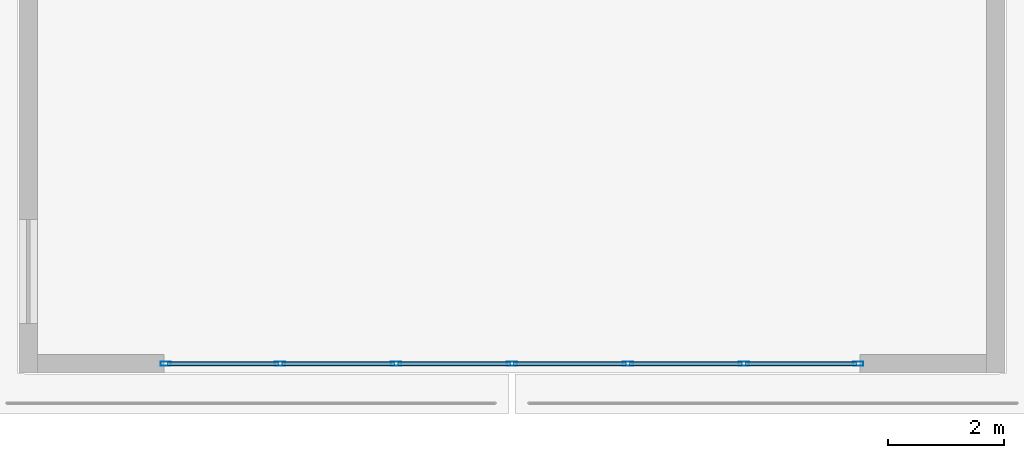
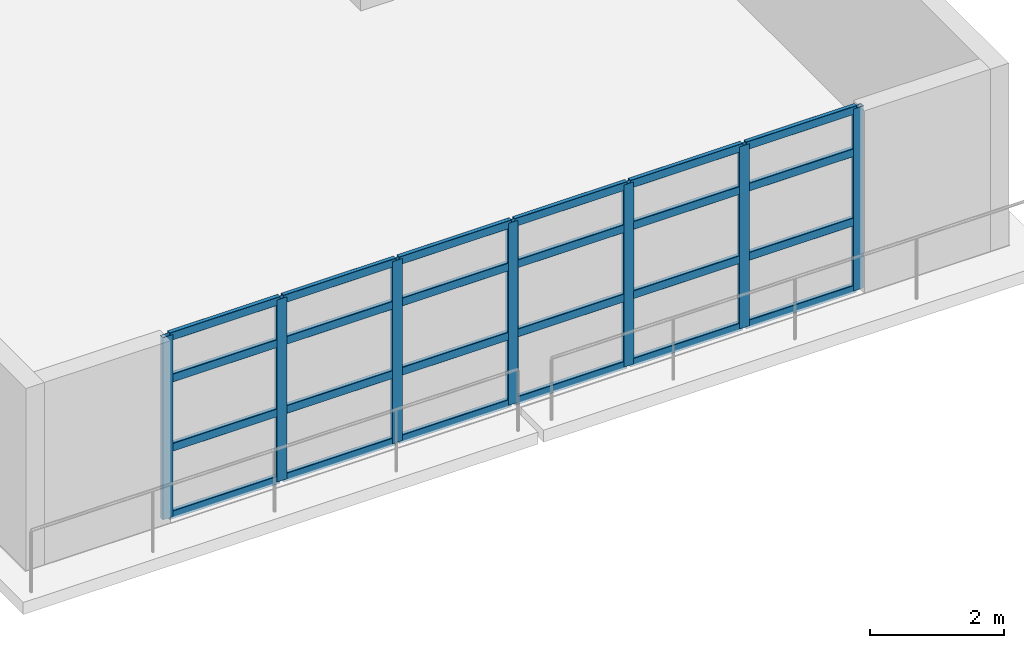
# One storey, part 2 of 23: 31 members, 1 element without a shape of its own.
"""IFC4 building model written with IfcOpenShell, lengths in metres."""

from ifc_helpers import new_model, si_unit, direction, frame, origin, origin_2d, place, context, subcontext, project, spatial, hollow_rectangle, extrude, material, layer, layer_set, material_profile, profile_set, type_object, element, aggregate, save


model = new_model("IFC4")

# Units and contexts
model_context = context("Model", 3, precision=1e-05, world=origin(), true_north=direction((0.0, 1.0)))
body_context = subcontext(model_context, "Body", "Model", "MODEL_VIEW")
ifc_project = project(units=[si_unit("LENGTHUNIT", "METRE"), si_unit("AREAUNIT", "SQUARE_METRE"), si_unit("VOLUMEUNIT", "CUBIC_METRE"), si_unit("PLANEANGLEUNIT", "RADIAN"), si_unit("MASSUNIT", "GRAM", prefix="KILO")], contexts=[model_context])

# Site, building, storey
site_placement = place(None, origin())
site = spatial("IfcSite", under=ifc_project, at=site_placement, CompositionType="ELEMENT")
building_placement = place(site_placement, origin())
building = spatial("IfcBuilding", under=site, at=building_placement, Name="Qingluan Cross Belvedere", CompositionType="ELEMENT")
storey_placement = place(building_placement, frame((0.0, 0.0, 10.199951171875)))
storey = spatial("IfcBuildingStorey", under=building, at=storey_placement, Name="L03", CompositionType="ELEMENT", Elevation=10.199951171875)

# Curtain wall, members
ifc_material_1 = material(Name="Thermally broken aluminium and Low-E glass", Category="aluminium")
ifc_layer = layer(ifc_material_1, 0.219970703125, Name="UnitisedCW_BallroomFoyer")
ifc_layer_set = layer_set([ifc_layer], Name="Thermally broken aluminium and Low-E glass")
curtain_wall_type = type_object("IfcCurtainWallType", Name="UnitisedCW_BallroomFoyer", PredefinedType="USERDEFINED", material=ifc_layer_set)
curtain_wall_placement = place(storey_placement, origin())
curtain_wall = element("IfcCurtainWall", 1, at=curtain_wall_placement, inside=storey, type_object=curtain_wall_type, Name="UnitisedCW_BallroomFoyer run env:cw:L03:S", ObjectType="UNITISED CURTAIN WALL", PredefinedType="USERDEFINED")
ifc_material_2 = material(Name="Aluminium alloy 6063-T6", Category="aluminium")
ifc_material_profile_1 = material_profile(ifc_material_2, hollow_rectangle(XDim=0.074951171875, YDim=0.179931640625, WallThickness=0.00390625, InnerFilletRadius=0.00390625, OuterFilletRadius=0.008056640625, at=origin_2d()), Name="CWM180x75x4")
ifc_profile_set_1 = profile_set([ifc_material_profile_1], Name="Aluminium alloy 6063-T6")
member_type_1 = type_object("IfcMemberType", Name="CWMullion_180", PredefinedType="MULLION", material=ifc_profile_set_1)
member_1_placement = place(storey_placement, frame((5.969970703125, -37.639892578125, 0.0), z_axis=(0.0, 0.0, 1.0), x_axis=(0.0, -1.0, 0.0)))
member_1 = element("IfcMember", 2, at=member_1_placement, type_object=member_type_1, Name="CW-P2 mullion 1", PredefinedType="MULLION", context=body_context, shape_type="SweptSolid", body=[
    extrude(hollow_rectangle(XDim=0.074951171875, YDim=0.179931640625, WallThickness=0.00390625, InnerFilletRadius=0.00390625, OuterFilletRadius=0.008056640625, at=origin_2d()), origin(), (0.0, 0.0, 1.0), 3.330078125),
])
member_2_placement = place(storey_placement, frame((4.0, -37.639892578125, 0.0), z_axis=(0.0, 0.0, 1.0), x_axis=(0.0, -1.0, 0.0)))
member_2 = element("IfcMember", 3, at=member_2_placement, type_object=member_type_1, Name="CW-P2 mullion 2", PredefinedType="MULLION", context=body_context, shape_type="SweptSolid", body=[
    extrude(hollow_rectangle(XDim=0.074951171875, YDim=0.179931640625, WallThickness=0.00390625, InnerFilletRadius=0.00390625, OuterFilletRadius=0.008056640625, at=origin_2d()), origin(), (0.0, 0.0, 1.0), 3.330078125),
])
member_3_placement = place(storey_placement, frame((2.0, -37.639892578125, 0.0), z_axis=(0.0, 0.0, 1.0), x_axis=(0.0, -1.0, 0.0)))
member_3 = element("IfcMember", 4, at=member_3_placement, type_object=member_type_1, Name="CW-P2 mullion 3", PredefinedType="MULLION", context=body_context, shape_type="SweptSolid", body=[
    extrude(hollow_rectangle(XDim=0.074951171875, YDim=0.179931640625, WallThickness=0.00390625, InnerFilletRadius=0.00390625, OuterFilletRadius=0.008056640625, at=origin_2d()), origin(), (0.0, 0.0, 1.0), 3.330078125),
])
member_4_placement = place(storey_placement, frame((0.0, -37.639892578125, 0.0), z_axis=(0.0, 0.0, 1.0), x_axis=(0.0, -1.0, 0.0)))
member_4 = element("IfcMember", 5, at=member_4_placement, type_object=member_type_1, Name="CW-P2 mullion 4", PredefinedType="MULLION", context=body_context, shape_type="SweptSolid", body=[
    extrude(hollow_rectangle(XDim=0.074951171875, YDim=0.179931640625, WallThickness=0.00390625, InnerFilletRadius=0.00390625, OuterFilletRadius=0.008056640625, at=origin_2d()), origin(), (0.0, 0.0, 1.0), 3.330078125),
])
member_5_placement = place(storey_placement, frame((-2.0, -37.639892578125, 0.0), z_axis=(0.0, 0.0, 1.0), x_axis=(0.0, -1.0, 0.0)))
member_5 = element("IfcMember", 6, at=member_5_placement, type_object=member_type_1, Name="CW-P2 mullion 5", PredefinedType="MULLION", context=body_context, shape_type="SweptSolid", body=[
    extrude(hollow_rectangle(XDim=0.074951171875, YDim=0.179931640625, WallThickness=0.00390625, InnerFilletRadius=0.00390625, OuterFilletRadius=0.008056640625, at=origin_2d()), origin(), (0.0, 0.0, 1.0), 3.330078125),
])
member_6_placement = place(storey_placement, frame((-4.0, -37.639892578125, 0.0), z_axis=(0.0, 0.0, 1.0), x_axis=(0.0, -1.0, 0.0)))
member_6 = element("IfcMember", 7, at=member_6_placement, type_object=member_type_1, Name="CW-P2 mullion 6", PredefinedType="MULLION", context=body_context, shape_type="SweptSolid", body=[
    extrude(hollow_rectangle(XDim=0.074951171875, YDim=0.179931640625, WallThickness=0.00390625, InnerFilletRadius=0.00390625, OuterFilletRadius=0.008056640625, at=origin_2d()), origin(), (0.0, 0.0, 1.0), 3.330078125),
])
member_7_placement = place(storey_placement, frame((-5.969970703125, -37.639892578125, 0.0), z_axis=(0.0, 0.0, 1.0), x_axis=(0.0, -1.0, 0.0)))
member_7 = element("IfcMember", 8, at=member_7_placement, type_object=member_type_1, Name="CW-P2 mullion 7", PredefinedType="MULLION", context=body_context, shape_type="SweptSolid", body=[
    extrude(hollow_rectangle(XDim=0.074951171875, YDim=0.179931640625, WallThickness=0.00390625, InnerFilletRadius=0.00390625, OuterFilletRadius=0.008056640625, at=origin_2d()), origin(), (0.0, 0.0, 1.0), 3.330078125),
])
ifc_material_3 = material(Name="Aluminium alloy 6063-T6", Category="aluminium")
ifc_material_profile_2 = material_profile(ifc_material_3, hollow_rectangle(XDim=0.074951171875, YDim=0.14990234375, WallThickness=0.00390625, InnerFilletRadius=0.00390625, OuterFilletRadius=0.008056640625, at=origin_2d()), Name="CWT150x75x4")
ifc_profile_set_2 = profile_set([ifc_material_profile_2], Name="Aluminium alloy 6063-T6")
member_type_2 = type_object("IfcMemberType", Name="CWTransom_150", PredefinedType="USERDEFINED", material=ifc_profile_set_2)
member_8_placement = place(storey_placement, frame((5.93994140625, -37.639892578125, 0.030029296875), z_axis=(-1.0, 0.0, 0.0), x_axis=(0.0, -1.0, 0.0)))
member_8 = element("IfcMember", 9, at=member_8_placement, type_object=member_type_2, Name="CW-P2 transom 1.1", ObjectType="TRANSOM", PredefinedType="USERDEFINED", context=body_context, shape_type="SweptSolid", body=[
    extrude(hollow_rectangle(XDim=0.074951171875, YDim=0.14990234375, WallThickness=0.00390625, InnerFilletRadius=0.00390625, OuterFilletRadius=0.008056640625, at=origin_2d()), origin(), (0.0, 0.0, 1.0), 1.909912109375),
])
member_9_placement = place(storey_placement, frame((5.93994140625, -37.639892578125, 1.26513671875), z_axis=(-1.0, 0.0, 0.0), x_axis=(0.0, -1.0, 0.0)))
member_9 = element("IfcMember", 10, at=member_9_placement, type_object=member_type_2, Name="CW-P2 transom 1.2", ObjectType="TRANSOM", PredefinedType="USERDEFINED", context=body_context, shape_type="SweptSolid", body=[
    extrude(hollow_rectangle(XDim=0.074951171875, YDim=0.14990234375, WallThickness=0.00390625, InnerFilletRadius=0.00390625, OuterFilletRadius=0.008056640625, at=origin_2d()), origin(), (0.0, 0.0, 1.0), 1.909912109375),
])
member_10_placement = place(storey_placement, frame((5.93994140625, -37.639892578125, 2.531005859375), z_axis=(-1.0, 0.0, 0.0), x_axis=(0.0, -1.0, 0.0)))
member_10 = element("IfcMember", 11, at=member_10_placement, type_object=member_type_2, Name="CW-P2 transom 1.3", ObjectType="TRANSOM", PredefinedType="USERDEFINED", context=body_context, shape_type="SweptSolid", body=[
    extrude(hollow_rectangle(XDim=0.074951171875, YDim=0.14990234375, WallThickness=0.00390625, InnerFilletRadius=0.00390625, OuterFilletRadius=0.008056640625, at=origin_2d()), origin(), (0.0, 0.0, 1.0), 1.909912109375),
])
member_11_placement = place(storey_placement, frame((5.93994140625, -37.639892578125, 3.300048828125), z_axis=(-1.0, 0.0, 0.0), x_axis=(0.0, -1.0, 0.0)))
member_11 = element("IfcMember", 12, at=member_11_placement, type_object=member_type_2, Name="CW-P2 transom 1.4", ObjectType="TRANSOM", PredefinedType="USERDEFINED", context=body_context, shape_type="SweptSolid", body=[
    extrude(hollow_rectangle(XDim=0.074951171875, YDim=0.14990234375, WallThickness=0.00390625, InnerFilletRadius=0.00390625, OuterFilletRadius=0.008056640625, at=origin_2d()), origin(), (0.0, 0.0, 1.0), 1.909912109375),
])
member_12_placement = place(storey_placement, frame((3.969970703125, -37.639892578125, 0.030029296875), z_axis=(-1.0, 0.0, 0.0), x_axis=(0.0, -1.0, 0.0)))
member_12 = element("IfcMember", 13, at=member_12_placement, type_object=member_type_2, Name="CW-P2 transom 2.1", ObjectType="TRANSOM", PredefinedType="USERDEFINED", context=body_context, shape_type="SweptSolid", body=[
    extrude(hollow_rectangle(XDim=0.074951171875, YDim=0.14990234375, WallThickness=0.00390625, InnerFilletRadius=0.00390625, OuterFilletRadius=0.008056640625, at=origin_2d()), origin(), (0.0, 0.0, 1.0), 1.93994140625),
])
member_13_placement = place(storey_placement, frame((3.969970703125, -37.639892578125, 1.26513671875), z_axis=(-1.0, 0.0, 0.0), x_axis=(0.0, -1.0, 0.0)))
member_13 = element("IfcMember", 14, at=member_13_placement, type_object=member_type_2, Name="CW-P2 transom 2.2", ObjectType="TRANSOM", PredefinedType="USERDEFINED", context=body_context, shape_type="SweptSolid", body=[
    extrude(hollow_rectangle(XDim=0.074951171875, YDim=0.14990234375, WallThickness=0.00390625, InnerFilletRadius=0.00390625, OuterFilletRadius=0.008056640625, at=origin_2d()), origin(), (0.0, 0.0, 1.0), 1.93994140625),
])
member_14_placement = place(storey_placement, frame((3.969970703125, -37.639892578125, 2.531005859375), z_axis=(-1.0, 0.0, 0.0), x_axis=(0.0, -1.0, 0.0)))
member_14 = element("IfcMember", 15, at=member_14_placement, type_object=member_type_2, Name="CW-P2 transom 2.3", ObjectType="TRANSOM", PredefinedType="USERDEFINED", context=body_context, shape_type="SweptSolid", body=[
    extrude(hollow_rectangle(XDim=0.074951171875, YDim=0.14990234375, WallThickness=0.00390625, InnerFilletRadius=0.00390625, OuterFilletRadius=0.008056640625, at=origin_2d()), origin(), (0.0, 0.0, 1.0), 1.93994140625),
])
member_15_placement = place(storey_placement, frame((3.969970703125, -37.639892578125, 3.300048828125), z_axis=(-1.0, 0.0, 0.0), x_axis=(0.0, -1.0, 0.0)))
member_15 = element("IfcMember", 16, at=member_15_placement, type_object=member_type_2, Name="CW-P2 transom 2.4", ObjectType="TRANSOM", PredefinedType="USERDEFINED", context=body_context, shape_type="SweptSolid", body=[
    extrude(hollow_rectangle(XDim=0.074951171875, YDim=0.14990234375, WallThickness=0.00390625, InnerFilletRadius=0.00390625, OuterFilletRadius=0.008056640625, at=origin_2d()), origin(), (0.0, 0.0, 1.0), 1.93994140625),
])
member_16_placement = place(storey_placement, frame((1.969970703125, -37.639892578125, 0.030029296875), z_axis=(-1.0, 0.0, 0.0), x_axis=(0.0, -1.0, 0.0)))
member_16 = element("IfcMember", 17, at=member_16_placement, type_object=member_type_2, Name="CW-P2 transom 3.1", ObjectType="TRANSOM", PredefinedType="USERDEFINED", context=body_context, shape_type="SweptSolid", body=[
    extrude(hollow_rectangle(XDim=0.074951171875, YDim=0.14990234375, WallThickness=0.00390625, InnerFilletRadius=0.00390625, OuterFilletRadius=0.008056640625, at=origin_2d()), origin(), (0.0, 0.0, 1.0), 1.93994140625),
])
member_17_placement = place(storey_placement, frame((1.969970703125, -37.639892578125, 1.26513671875), z_axis=(-1.0, 0.0, 0.0), x_axis=(0.0, -1.0, 0.0)))
member_17 = element("IfcMember", 18, at=member_17_placement, type_object=member_type_2, Name="CW-P2 transom 3.2", ObjectType="TRANSOM", PredefinedType="USERDEFINED", context=body_context, shape_type="SweptSolid", body=[
    extrude(hollow_rectangle(XDim=0.074951171875, YDim=0.14990234375, WallThickness=0.00390625, InnerFilletRadius=0.00390625, OuterFilletRadius=0.008056640625, at=origin_2d()), origin(), (0.0, 0.0, 1.0), 1.93994140625),
])
member_18_placement = place(storey_placement, frame((1.969970703125, -37.639892578125, 2.531005859375), z_axis=(-1.0, 0.0, 0.0), x_axis=(0.0, -1.0, 0.0)))
member_18 = element("IfcMember", 19, at=member_18_placement, type_object=member_type_2, Name="CW-P2 transom 3.3", ObjectType="TRANSOM", PredefinedType="USERDEFINED", context=body_context, shape_type="SweptSolid", body=[
    extrude(hollow_rectangle(XDim=0.074951171875, YDim=0.14990234375, WallThickness=0.00390625, InnerFilletRadius=0.00390625, OuterFilletRadius=0.008056640625, at=origin_2d()), origin(), (0.0, 0.0, 1.0), 1.93994140625),
])
member_19_placement = place(storey_placement, frame((1.969970703125, -37.639892578125, 3.300048828125), z_axis=(-1.0, 0.0, 0.0), x_axis=(0.0, -1.0, 0.0)))
member_19 = element("IfcMember", 20, at=member_19_placement, type_object=member_type_2, Name="CW-P2 transom 3.4", ObjectType="TRANSOM", PredefinedType="USERDEFINED", context=body_context, shape_type="SweptSolid", body=[
    extrude(hollow_rectangle(XDim=0.074951171875, YDim=0.14990234375, WallThickness=0.00390625, InnerFilletRadius=0.00390625, OuterFilletRadius=0.008056640625, at=origin_2d()), origin(), (0.0, 0.0, 1.0), 1.93994140625),
])
member_20_placement = place(storey_placement, frame((-0.030029296875, -37.639892578125, 0.030029296875), z_axis=(-1.0, 0.0, 0.0), x_axis=(0.0, -1.0, 0.0)))
member_20 = element("IfcMember", 21, at=member_20_placement, type_object=member_type_2, Name="CW-P2 transom 4.1", ObjectType="TRANSOM", PredefinedType="USERDEFINED", context=body_context, shape_type="SweptSolid", body=[
    extrude(hollow_rectangle(XDim=0.074951171875, YDim=0.14990234375, WallThickness=0.00390625, InnerFilletRadius=0.00390625, OuterFilletRadius=0.008056640625, at=origin_2d()), origin(), (0.0, 0.0, 1.0), 1.93994140625),
])
member_21_placement = place(storey_placement, frame((-0.030029296875, -37.639892578125, 1.26513671875), z_axis=(-1.0, 0.0, 0.0), x_axis=(0.0, -1.0, 0.0)))
member_21 = element("IfcMember", 22, at=member_21_placement, type_object=member_type_2, Name="CW-P2 transom 4.2", ObjectType="TRANSOM", PredefinedType="USERDEFINED", context=body_context, shape_type="SweptSolid", body=[
    extrude(hollow_rectangle(XDim=0.074951171875, YDim=0.14990234375, WallThickness=0.00390625, InnerFilletRadius=0.00390625, OuterFilletRadius=0.008056640625, at=origin_2d()), origin(), (0.0, 0.0, 1.0), 1.93994140625),
])
member_22_placement = place(storey_placement, frame((-0.030029296875, -37.639892578125, 2.531005859375), z_axis=(-1.0, 0.0, 0.0), x_axis=(0.0, -1.0, 0.0)))
member_22 = element("IfcMember", 23, at=member_22_placement, type_object=member_type_2, Name="CW-P2 transom 4.3", ObjectType="TRANSOM", PredefinedType="USERDEFINED", context=body_context, shape_type="SweptSolid", body=[
    extrude(hollow_rectangle(XDim=0.074951171875, YDim=0.14990234375, WallThickness=0.00390625, InnerFilletRadius=0.00390625, OuterFilletRadius=0.008056640625, at=origin_2d()), origin(), (0.0, 0.0, 1.0), 1.93994140625),
])
member_23_placement = place(storey_placement, frame((-0.030029296875, -37.639892578125, 3.300048828125), z_axis=(-1.0, 0.0, 0.0), x_axis=(0.0, -1.0, 0.0)))
member_23 = element("IfcMember", 24, at=member_23_placement, type_object=member_type_2, Name="CW-P2 transom 4.4", ObjectType="TRANSOM", PredefinedType="USERDEFINED", context=body_context, shape_type="SweptSolid", body=[
    extrude(hollow_rectangle(XDim=0.074951171875, YDim=0.14990234375, WallThickness=0.00390625, InnerFilletRadius=0.00390625, OuterFilletRadius=0.008056640625, at=origin_2d()), origin(), (0.0, 0.0, 1.0), 1.93994140625),
])
member_24_placement = place(storey_placement, frame((-2.030029296875, -37.639892578125, 0.030029296875), z_axis=(-1.0, 0.0, 0.0), x_axis=(0.0, -1.0, 0.0)))
member_24 = element("IfcMember", 25, at=member_24_placement, type_object=member_type_2, Name="CW-P2 transom 5.1", ObjectType="TRANSOM", PredefinedType="USERDEFINED", context=body_context, shape_type="SweptSolid", body=[
    extrude(hollow_rectangle(XDim=0.074951171875, YDim=0.14990234375, WallThickness=0.00390625, InnerFilletRadius=0.00390625, OuterFilletRadius=0.008056640625, at=origin_2d()), origin(), (0.0, 0.0, 1.0), 1.93994140625),
])
member_25_placement = place(storey_placement, frame((-2.030029296875, -37.639892578125, 1.26513671875), z_axis=(-1.0, 0.0, 0.0), x_axis=(0.0, -1.0, 0.0)))
member_25 = element("IfcMember", 26, at=member_25_placement, type_object=member_type_2, Name="CW-P2 transom 5.2", ObjectType="TRANSOM", PredefinedType="USERDEFINED", context=body_context, shape_type="SweptSolid", body=[
    extrude(hollow_rectangle(XDim=0.074951171875, YDim=0.14990234375, WallThickness=0.00390625, InnerFilletRadius=0.00390625, OuterFilletRadius=0.008056640625, at=origin_2d()), origin(), (0.0, 0.0, 1.0), 1.93994140625),
])
member_26_placement = place(storey_placement, frame((-2.030029296875, -37.639892578125, 2.531005859375), z_axis=(-1.0, 0.0, 0.0), x_axis=(0.0, -1.0, 0.0)))
member_26 = element("IfcMember", 27, at=member_26_placement, type_object=member_type_2, Name="CW-P2 transom 5.3", ObjectType="TRANSOM", PredefinedType="USERDEFINED", context=body_context, shape_type="SweptSolid", body=[
    extrude(hollow_rectangle(XDim=0.074951171875, YDim=0.14990234375, WallThickness=0.00390625, InnerFilletRadius=0.00390625, OuterFilletRadius=0.008056640625, at=origin_2d()), origin(), (0.0, 0.0, 1.0), 1.93994140625),
])
member_27_placement = place(storey_placement, frame((-2.030029296875, -37.639892578125, 3.300048828125), z_axis=(-1.0, 0.0, 0.0), x_axis=(0.0, -1.0, 0.0)))
member_27 = element("IfcMember", 28, at=member_27_placement, type_object=member_type_2, Name="CW-P2 transom 5.4", ObjectType="TRANSOM", PredefinedType="USERDEFINED", context=body_context, shape_type="SweptSolid", body=[
    extrude(hollow_rectangle(XDim=0.074951171875, YDim=0.14990234375, WallThickness=0.00390625, InnerFilletRadius=0.00390625, OuterFilletRadius=0.008056640625, at=origin_2d()), origin(), (0.0, 0.0, 1.0), 1.93994140625),
])
member_28_placement = place(storey_placement, frame((-4.030029296875, -37.639892578125, 0.030029296875), z_axis=(-1.0, 0.0, 0.0), x_axis=(0.0, -1.0, 0.0)))
member_28 = element("IfcMember", 29, at=member_28_placement, type_object=member_type_2, Name="CW-P2 transom 6.1", ObjectType="TRANSOM", PredefinedType="USERDEFINED", context=body_context, shape_type="SweptSolid", body=[
    extrude(hollow_rectangle(XDim=0.074951171875, YDim=0.14990234375, WallThickness=0.00390625, InnerFilletRadius=0.00390625, OuterFilletRadius=0.008056640625, at=origin_2d()), origin(), (0.0, 0.0, 1.0), 1.909912109375),
])
member_29_placement = place(storey_placement, frame((-4.030029296875, -37.639892578125, 1.26513671875), z_axis=(-1.0, 0.0, 0.0), x_axis=(0.0, -1.0, 0.0)))
member_29 = element("IfcMember", 30, at=member_29_placement, type_object=member_type_2, Name="CW-P2 transom 6.2", ObjectType="TRANSOM", PredefinedType="USERDEFINED", context=body_context, shape_type="SweptSolid", body=[
    extrude(hollow_rectangle(XDim=0.074951171875, YDim=0.14990234375, WallThickness=0.00390625, InnerFilletRadius=0.00390625, OuterFilletRadius=0.008056640625, at=origin_2d()), origin(), (0.0, 0.0, 1.0), 1.909912109375),
])
member_30_placement = place(storey_placement, frame((-4.030029296875, -37.639892578125, 2.531005859375), z_axis=(-1.0, 0.0, 0.0), x_axis=(0.0, -1.0, 0.0)))
member_30 = element("IfcMember", 31, at=member_30_placement, type_object=member_type_2, Name="CW-P2 transom 6.3", ObjectType="TRANSOM", PredefinedType="USERDEFINED", context=body_context, shape_type="SweptSolid", body=[
    extrude(hollow_rectangle(XDim=0.074951171875, YDim=0.14990234375, WallThickness=0.00390625, InnerFilletRadius=0.00390625, OuterFilletRadius=0.008056640625, at=origin_2d()), origin(), (0.0, 0.0, 1.0), 1.909912109375),
])
member_31_placement = place(storey_placement, frame((-4.030029296875, -37.639892578125, 3.300048828125), z_axis=(-1.0, 0.0, 0.0), x_axis=(0.0, -1.0, 0.0)))
member_31 = element("IfcMember", 32, at=member_31_placement, type_object=member_type_2, Name="CW-P2 transom 6.4", ObjectType="TRANSOM", PredefinedType="USERDEFINED", context=body_context, shape_type="SweptSolid", body=[
    extrude(hollow_rectangle(XDim=0.074951171875, YDim=0.14990234375, WallThickness=0.00390625, InnerFilletRadius=0.00390625, OuterFilletRadius=0.008056640625, at=origin_2d()), origin(), (0.0, 0.0, 1.0), 1.909912109375),
])
aggregate(curtain_wall, [member_1, member_2, member_3, member_4, member_5, member_6, member_7, member_8, member_9, member_10, member_11, member_12, member_13, member_14, member_15, member_16, member_17, member_18, member_19, member_20, member_21, member_22, member_23, member_24, member_25, member_26, member_27, member_28, member_29, member_30, member_31])

save(model, "model.ifc")
